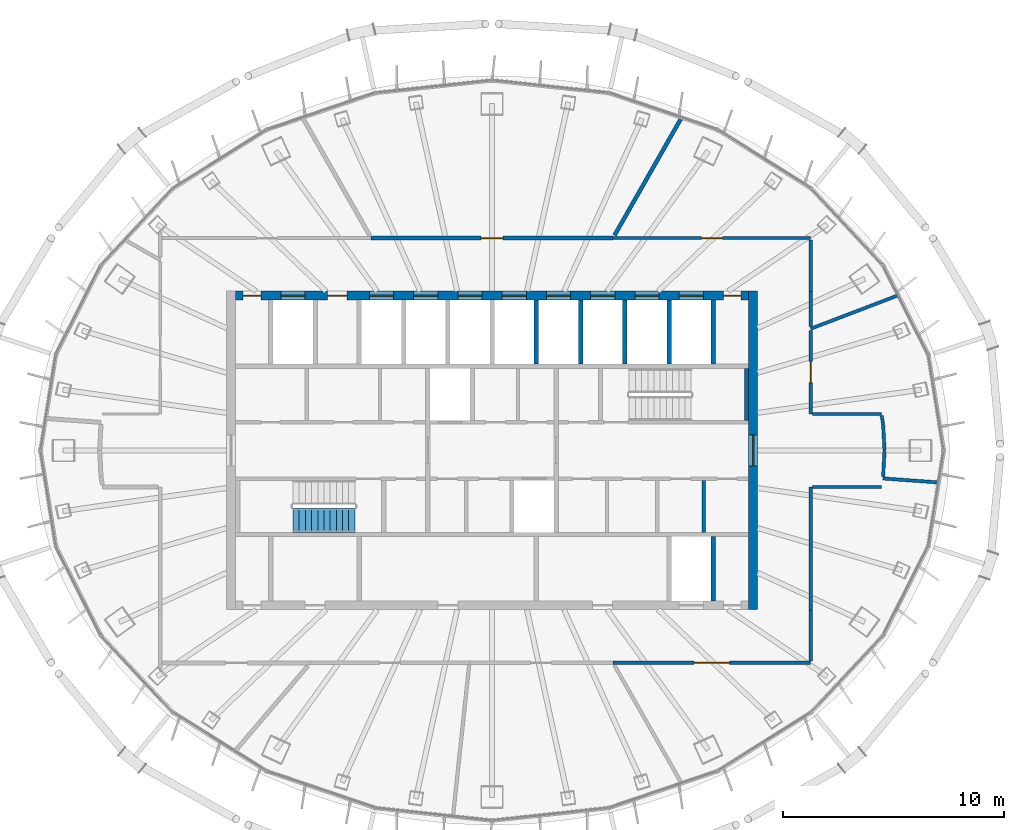
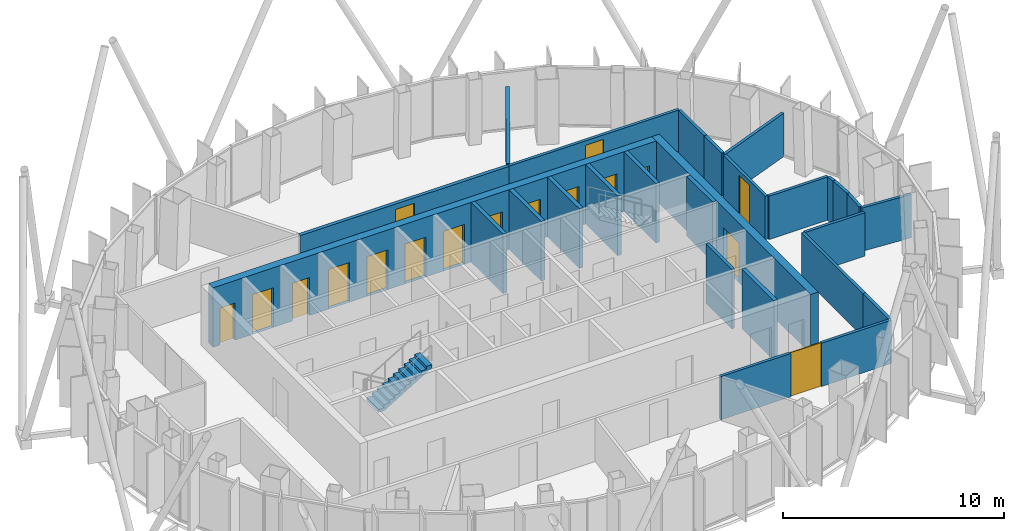
# One storey, part 11 of 18: 26 walls, 17 doors, 1 stair flight, 17 openings, 1 element without a shape of its own.
"""IFC4 building model written with IfcOpenShell, lengths in metres."""

from ifc_helpers import new_model, si_unit, direction, frame, frame_2d, origin, place, context, subcontext, project, spatial, polyline, rectangle, outline, extrude, material, layer, layer_set, type_object, element, fill, aggregate, save


model = new_model("IFC4")

# Units and contexts
model_context = context("Model", 3, precision=1e-05, world=origin(), true_north=direction((0.0, 1.0)))
body_context = subcontext(model_context, "Body", "Model", "MODEL_VIEW")
ifc_project = project(units=[si_unit("LENGTHUNIT", "METRE"), si_unit("AREAUNIT", "SQUARE_METRE"), si_unit("VOLUMEUNIT", "CUBIC_METRE"), si_unit("PLANEANGLEUNIT", "RADIAN"), si_unit("MASSUNIT", "GRAM", prefix="KILO")], contexts=[model_context])

# Site, building, storey
site_placement = place(None, origin())
site = spatial("IfcSite", under=ifc_project, at=site_placement, CompositionType="ELEMENT")
building_placement = place(site_placement, origin())
building = spatial("IfcBuilding", under=site, at=building_placement, Name="Siaravel Broadcast Tower", CompositionType="ELEMENT")
storey_placement = place(building_placement, frame((0.0, 0.0, 261.5)))
storey = spatial("IfcBuildingStorey", under=building, at=storey_placement, Name="L64", CompositionType="ELEMENT", Elevation=261.5)

# Wall
ifc_material_1 = material(Name="Concrete blockwork", Category="masonry")
ifc_layer_1 = layer(ifc_material_1, 0.14990234375)
ifc_layer_set_1 = layer_set([ifc_layer_1], Name="Concrete blockwork")
wall_type_1 = type_object("IfcWallType", Name="Core partition 150", PredefinedType="PARTITIONING", material=ifc_layer_set_1)
wall_1_placement = place(storey_placement, frame((9.569091796875, -3.699951171875, 0.0), z_axis=(0.0, 0.0, 1.0), x_axis=(0.0, 1.0, 0.0)))
element("IfcWall", 1, at=wall_1_placement, inside=storey, type_object=wall_type_1, Name="L64 core partition PSE2", PredefinedType="PARTITIONING", context=body_context, shape_type="SweptSolid", body=[
    extrude(rectangle(XDim=2.349853515625, YDim=0.14990234375, at=frame_2d((1.1748046875, 0.0))), origin(), (0.0, 0.0, 1.0), 3.300048828125),
])

# Wall, opening, door
ifc_material_2 = material(Name="Concrete C60/75", Category="concrete")
ifc_layer_2 = layer(ifc_material_2, 0.39990234375)
ifc_layer_set_2 = layer_set([ifc_layer_2], Name="Concrete C60/75")
wall_type_2 = type_object("IfcWallType", Name="Core wall 400", PredefinedType="SHEAR", material=ifc_layer_set_2)
wall_2_placement = place(storey_placement, frame((11.800048828125, -7.199951171875, 0.0), z_axis=(0.0, 0.0, 1.0), x_axis=(0.0, 1.0, 0.0)))
wall_2 = element("IfcWall", 2, at=wall_2_placement, inside=storey, type_object=wall_type_2, Name="L64 core wall OE", PredefinedType="SHEAR", context=body_context, shape_type="SweptSolid", body=[
    extrude(rectangle(XDim=14.39990234375, YDim=0.39990234375, at=frame_2d((7.199951171875, 0.0))), origin(), (0.0, 0.0, 1.0), 3.300048828125),
])
opening_1_placement = place(wall_2_placement, frame((6.5, 0.0, 0.0)))
opening_1 = element("IfcOpeningElement", 3, at=opening_1_placement, cuts=wall_2, Name="Opening L64-DX-E", PredefinedType="OPENING", context=body_context, shape_type="SweptSolid", body=[
    extrude(rectangle(XDim=1.39990234375, YDim=2.199951171875, at=frame_2d((0.699951171875, 1.10009765625))), frame((0.0, 0.2099609375, 0.0), z_axis=(0.0, -1.0, 0.0), x_axis=(1.0, 0.0, 0.0)), (0.0, 0.0, 1.0), 0.419921875),
])
ifc_material_3 = material(Name="Steel", Category="steel")
door_type_1 = type_object("IfcDoorType", Name="Core exit door 1400", OperationType="DOUBLE_DOOR_SINGLE_SWING", PredefinedType="DOOR", material=ifc_material_3)
door_1_placement = place(opening_1_placement, origin())
door_1 = element("IfcDoor", 4, at=door_1_placement, inside=storey, type_object=door_type_1, Name="L64 door DX-E", OperationType="DOUBLE_DOOR_SINGLE_SWING", OverallHeight=2.199951171875, OverallWidth=1.39990234375, PredefinedType="DOOR", context=body_context, shape_type="SweptSolid", body=[
    extrude(rectangle(XDim=1.39990234375, YDim=2.199951171875, at=frame_2d((0.699951171875, 1.10009765625))), frame((0.0, 0.02490234375, 0.0), z_axis=(0.0, -1.0, 0.0), x_axis=(1.0, 0.0, 0.0)), (0.0, 0.0, 1.0), 0.050048828125),
])
fill(opening_1, door_1)

# Wall, openings, doors
wall_3_placement = place(storey_placement, frame((-11.60009765625, 7.0, 0.0), z_axis=(0.0, 0.0, 1.0), x_axis=(1.0, 0.0, 0.0)))
wall_3 = element("IfcWall", 5, at=wall_3_placement, inside=storey, type_object=wall_type_2, Name="L64 core wall ON", PredefinedType="SHEAR", context=body_context, shape_type="SweptSolid", body=[
    extrude(rectangle(XDim=23.2001953125, YDim=0.39990234375, at=frame_2d((11.60009765625, 0.0))), origin(), (0.0, 0.0, 1.0), 3.300048828125),
])
opening_2_placement = place(wall_3_placement, frame((2.050048828125, 0.0, 0.0)))
opening_2 = element("IfcOpeningElement", 6, at=opening_2_placement, cuts=wall_3, Name="Opening LD-SV2-L64", PredefinedType="OPENING", context=body_context, shape_type="SweptSolid", body=[
    extrude(rectangle(XDim=1.10009765625, YDim=2.199951171875, at=frame_2d((0.550048828125, 1.10009765625))), frame((0.0, 0.2099609375, 0.0), z_axis=(0.0, -1.0, 0.0), x_axis=(1.0, 0.0, 0.0)), (0.0, 0.0, 1.0), 0.419921875),
])
opening_3_placement = place(wall_3_placement, frame((6.050048828125, 0.0, 0.0)))
opening_3 = element("IfcOpeningElement", 7, at=opening_3_placement, cuts=wall_3, Name="Opening LD-HP1-L64", PredefinedType="OPENING", context=body_context, shape_type="SweptSolid", body=[
    extrude(rectangle(XDim=1.10009765625, YDim=2.199951171875, at=frame_2d((0.550048828125, 1.10009765625))), frame((0.0, 0.2099609375, 0.0), z_axis=(0.0, -1.0, 0.0), x_axis=(1.0, 0.0, 0.0)), (0.0, 0.0, 1.0), 0.419921875),
])
opening_4_placement = place(wall_3_placement, frame((8.050048828125, 0.0, 0.0)))
opening_4 = element("IfcOpeningElement", 8, at=opening_4_placement, cuts=wall_3, Name="Opening LD-HP2-L64", PredefinedType="OPENING", context=body_context, shape_type="SweptSolid", body=[
    extrude(rectangle(XDim=1.10009765625, YDim=2.199951171875, at=frame_2d((0.550048828125, 1.10009765625))), frame((0.0, 0.2099609375, 0.0), z_axis=(0.0, -1.0, 0.0), x_axis=(1.0, 0.0, 0.0)), (0.0, 0.0, 1.0), 0.419921875),
])
opening_5_placement = place(wall_3_placement, frame((10.050048828125, 0.0, 0.0)))
opening_5 = element("IfcOpeningElement", 9, at=opening_5_placement, cuts=wall_3, Name="Opening LD-HP3-L64", PredefinedType="OPENING", context=body_context, shape_type="SweptSolid", body=[
    extrude(rectangle(XDim=1.10009765625, YDim=2.199951171875, at=frame_2d((0.550048828125, 1.10009765625))), frame((0.0, 0.2099609375, 0.0), z_axis=(0.0, -1.0, 0.0), x_axis=(1.0, 0.0, 0.0)), (0.0, 0.0, 1.0), 0.419921875),
])
opening_6_placement = place(wall_3_placement, frame((12.050048828125, 0.0, 0.0)))
opening_6 = element("IfcOpeningElement", 10, at=opening_6_placement, cuts=wall_3, Name="Opening LD-HP4-L64", PredefinedType="OPENING", context=body_context, shape_type="SweptSolid", body=[
    extrude(rectangle(XDim=1.10009765625, YDim=2.199951171875, at=frame_2d((0.550048828125, 1.10009765625))), frame((0.0, 0.2099609375, 0.0), z_axis=(0.0, -1.0, 0.0), x_axis=(1.0, 0.0, 0.0)), (0.0, 0.0, 1.0), 0.419921875),
])
opening_7_placement = place(wall_3_placement, frame((14.050048828125, 0.0, 0.0)))
opening_7 = element("IfcOpeningElement", 11, at=opening_7_placement, cuts=wall_3, Name="Opening LD-HP5-L64", PredefinedType="OPENING", context=body_context, shape_type="SweptSolid", body=[
    extrude(rectangle(XDim=1.10009765625, YDim=2.199951171875, at=frame_2d((0.550048828125, 1.10009765625))), frame((0.0, 0.2099609375, 0.0), z_axis=(0.0, -1.0, 0.0), x_axis=(1.0, 0.0, 0.0)), (0.0, 0.0, 1.0), 0.419921875),
])
opening_8_placement = place(wall_3_placement, frame((16.050048828125, 0.0, 0.0)))
opening_8 = element("IfcOpeningElement", 12, at=opening_8_placement, cuts=wall_3, Name="Opening LD-HP6-L64", PredefinedType="OPENING", context=body_context, shape_type="SweptSolid", body=[
    extrude(rectangle(XDim=1.10009765625, YDim=2.199951171875, at=frame_2d((0.550048828125, 1.10009765625))), frame((0.0, 0.2099609375, 0.0), z_axis=(0.0, -1.0, 0.0), x_axis=(1.0, 0.0, 0.0)), (0.0, 0.0, 1.0), 0.419921875),
])
opening_9_placement = place(wall_3_placement, frame((18.050048828125, 0.0, 0.0)))
opening_9 = element("IfcOpeningElement", 13, at=opening_9_placement, cuts=wall_3, Name="Opening LD-HP7-L64", PredefinedType="OPENING", context=body_context, shape_type="SweptSolid", body=[
    extrude(rectangle(XDim=1.10009765625, YDim=2.199951171875, at=frame_2d((0.550048828125, 1.10009765625))), frame((0.0, 0.2099609375, 0.0), z_axis=(0.0, -1.0, 0.0), x_axis=(1.0, 0.0, 0.0)), (0.0, 0.0, 1.0), 0.419921875),
])
opening_10_placement = place(wall_3_placement, frame((20.050048828125, 0.0, 0.0)))
opening_10 = element("IfcOpeningElement", 14, at=opening_10_placement, cuts=wall_3, Name="Opening LD-HP8-L64", PredefinedType="OPENING", context=body_context, shape_type="SweptSolid", body=[
    extrude(rectangle(XDim=1.10009765625, YDim=2.199951171875, at=frame_2d((0.550048828125, 1.10009765625))), frame((0.0, 0.2099609375, 0.0), z_axis=(0.0, -1.0, 0.0), x_axis=(1.0, 0.0, 0.0)), (0.0, 0.0, 1.0), 0.419921875),
])
opening_11_placement = place(wall_3_placement, frame((4.14990234375, 0.0, 0.0)))
opening_11 = element("IfcOpeningElement", 15, at=opening_11_placement, cuts=wall_3, Name="Opening L64-DFN1", PredefinedType="OPENING", context=body_context, shape_type="SweptSolid", body=[
    extrude(rectangle(XDim=0.89990234375, YDim=2.10009765625, at=frame_2d((0.449951171875, 1.050048828125))), frame((0.0, 0.2099609375, 0.0), z_axis=(0.0, -1.0, 0.0), x_axis=(1.0, 0.0, 0.0)), (0.0, 0.0, 1.0), 0.419921875),
])
opening_12_placement = place(wall_3_placement, frame((0.35009765625, 0.0, 0.0)))
opening_12 = element("IfcOpeningElement", 16, at=opening_12_placement, cuts=wall_3, Name="Opening L64-DRNW", PredefinedType="OPENING", context=body_context, shape_type="SweptSolid", body=[
    extrude(rectangle(XDim=0.800048828125, YDim=2.050048828125, at=frame_2d((0.39990234375, 1.02490234375))), frame((0.0, 0.2099609375, 0.0), z_axis=(0.0, -1.0, 0.0), x_axis=(1.0, 0.0, 0.0)), (0.0, 0.0, 1.0), 0.419921875),
])
opening_13_placement = place(wall_3_placement, frame((22.050048828125, 0.0, 0.0)))
opening_13 = element("IfcOpeningElement", 17, at=opening_13_placement, cuts=wall_3, Name="Opening L64-DRNE", PredefinedType="OPENING", context=body_context, shape_type="SweptSolid", body=[
    extrude(rectangle(XDim=0.800048828125, YDim=2.050048828125, at=frame_2d((0.39990234375, 1.02490234375))), frame((0.0, 0.2099609375, 0.0), z_axis=(0.0, -1.0, 0.0), x_axis=(1.0, 0.0, 0.0)), (0.0, 0.0, 1.0), 0.419921875),
])
ifc_material_4 = material(Name="Timber veneer", Category="wood")
door_type_2 = type_object("IfcDoorType", Name="Core room door 900", OperationType="SINGLE_SWING_LEFT", PredefinedType="DOOR", material=ifc_material_4)
door_2_placement = place(opening_11_placement, origin())
door_2 = element("IfcDoor", 18, at=door_2_placement, inside=storey, type_object=door_type_2, Name="L64 door DFN1", OperationType="SINGLE_SWING_LEFT", OverallHeight=2.10009765625, OverallWidth=0.89990234375, PredefinedType="DOOR", context=body_context, shape_type="SweptSolid", body=[
    extrude(rectangle(XDim=0.89990234375, YDim=2.10009765625, at=frame_2d((0.449951171875, 1.050048828125))), frame((0.0, 0.02490234375, 0.0), z_axis=(0.0, -1.0, 0.0), x_axis=(1.0, 0.0, 0.0)), (0.0, 0.0, 1.0), 0.050048828125),
])
fill(opening_11, door_2)
ifc_material_5 = material(Name="Stainless steel 316L", Category="steel")
door_type_3 = type_object("IfcDoorType", Name="Lift landing door 1100", OperationType="DOUBLE_DOOR_SLIDING", PredefinedType="DOOR", material=ifc_material_5)
door_3_placement = place(opening_3_placement, origin())
door_3 = element("IfcDoor", 19, at=door_3_placement, inside=storey, type_object=door_type_3, Name="Landing door HP1 L64", OperationType="DOUBLE_DOOR_SLIDING", OverallHeight=2.199951171875, OverallWidth=1.10009765625, PredefinedType="DOOR", context=body_context, shape_type="SweptSolid", body=[
    extrude(rectangle(XDim=1.10009765625, YDim=2.199951171875, at=frame_2d((0.550048828125, 1.10009765625))), frame((0.0, 0.02490234375, 0.0), z_axis=(0.0, -1.0, 0.0), x_axis=(1.0, 0.0, 0.0)), (0.0, 0.0, 1.0), 0.050048828125),
])
fill(opening_3, door_3)
door_4_placement = place(opening_4_placement, origin())
door_4 = element("IfcDoor", 20, at=door_4_placement, inside=storey, type_object=door_type_3, Name="Landing door HP2 L64", OperationType="DOUBLE_DOOR_SLIDING", OverallHeight=2.199951171875, OverallWidth=1.10009765625, PredefinedType="DOOR", context=body_context, shape_type="SweptSolid", body=[
    extrude(rectangle(XDim=1.10009765625, YDim=2.199951171875, at=frame_2d((0.550048828125, 1.10009765625))), frame((0.0, 0.02490234375, 0.0), z_axis=(0.0, -1.0, 0.0), x_axis=(1.0, 0.0, 0.0)), (0.0, 0.0, 1.0), 0.050048828125),
])
fill(opening_4, door_4)
door_5_placement = place(opening_5_placement, origin())
door_5 = element("IfcDoor", 21, at=door_5_placement, inside=storey, type_object=door_type_3, Name="Landing door HP3 L64", OperationType="DOUBLE_DOOR_SLIDING", OverallHeight=2.199951171875, OverallWidth=1.10009765625, PredefinedType="DOOR", context=body_context, shape_type="SweptSolid", body=[
    extrude(rectangle(XDim=1.10009765625, YDim=2.199951171875, at=frame_2d((0.550048828125, 1.10009765625))), frame((0.0, 0.02490234375, 0.0), z_axis=(0.0, -1.0, 0.0), x_axis=(1.0, 0.0, 0.0)), (0.0, 0.0, 1.0), 0.050048828125),
])
fill(opening_5, door_5)
door_6_placement = place(opening_6_placement, origin())
door_6 = element("IfcDoor", 22, at=door_6_placement, inside=storey, type_object=door_type_3, Name="Landing door HP4 L64", OperationType="DOUBLE_DOOR_SLIDING", OverallHeight=2.199951171875, OverallWidth=1.10009765625, PredefinedType="DOOR", context=body_context, shape_type="SweptSolid", body=[
    extrude(rectangle(XDim=1.10009765625, YDim=2.199951171875, at=frame_2d((0.550048828125, 1.10009765625))), frame((0.0, 0.02490234375, 0.0), z_axis=(0.0, -1.0, 0.0), x_axis=(1.0, 0.0, 0.0)), (0.0, 0.0, 1.0), 0.050048828125),
])
fill(opening_6, door_6)
door_7_placement = place(opening_7_placement, origin())
door_7 = element("IfcDoor", 23, at=door_7_placement, inside=storey, type_object=door_type_3, Name="Landing door HP5 L64", OperationType="DOUBLE_DOOR_SLIDING", OverallHeight=2.199951171875, OverallWidth=1.10009765625, PredefinedType="DOOR", context=body_context, shape_type="SweptSolid", body=[
    extrude(rectangle(XDim=1.10009765625, YDim=2.199951171875, at=frame_2d((0.550048828125, 1.10009765625))), frame((0.0, 0.02490234375, 0.0), z_axis=(0.0, -1.0, 0.0), x_axis=(1.0, 0.0, 0.0)), (0.0, 0.0, 1.0), 0.050048828125),
])
fill(opening_7, door_7)
door_8_placement = place(opening_8_placement, origin())
door_8 = element("IfcDoor", 24, at=door_8_placement, inside=storey, type_object=door_type_3, Name="Landing door HP6 L64", OperationType="DOUBLE_DOOR_SLIDING", OverallHeight=2.199951171875, OverallWidth=1.10009765625, PredefinedType="DOOR", context=body_context, shape_type="SweptSolid", body=[
    extrude(rectangle(XDim=1.10009765625, YDim=2.199951171875, at=frame_2d((0.550048828125, 1.10009765625))), frame((0.0, 0.02490234375, 0.0), z_axis=(0.0, -1.0, 0.0), x_axis=(1.0, 0.0, 0.0)), (0.0, 0.0, 1.0), 0.050048828125),
])
fill(opening_8, door_8)
door_9_placement = place(opening_9_placement, origin())
door_9 = element("IfcDoor", 25, at=door_9_placement, inside=storey, type_object=door_type_3, Name="Landing door HP7 L64", OperationType="DOUBLE_DOOR_SLIDING", OverallHeight=2.199951171875, OverallWidth=1.10009765625, PredefinedType="DOOR", context=body_context, shape_type="SweptSolid", body=[
    extrude(rectangle(XDim=1.10009765625, YDim=2.199951171875, at=frame_2d((0.550048828125, 1.10009765625))), frame((0.0, 0.02490234375, 0.0), z_axis=(0.0, -1.0, 0.0), x_axis=(1.0, 0.0, 0.0)), (0.0, 0.0, 1.0), 0.050048828125),
])
fill(opening_9, door_9)
door_10_placement = place(opening_10_placement, origin())
door_10 = element("IfcDoor", 26, at=door_10_placement, inside=storey, type_object=door_type_3, Name="Landing door HP8 L64", OperationType="DOUBLE_DOOR_SLIDING", OverallHeight=2.199951171875, OverallWidth=1.10009765625, PredefinedType="DOOR", context=body_context, shape_type="SweptSolid", body=[
    extrude(rectangle(XDim=1.10009765625, YDim=2.199951171875, at=frame_2d((0.550048828125, 1.10009765625))), frame((0.0, 0.02490234375, 0.0), z_axis=(0.0, -1.0, 0.0), x_axis=(1.0, 0.0, 0.0)), (0.0, 0.0, 1.0), 0.050048828125),
])
fill(opening_10, door_10)
door_type_4 = type_object("IfcDoorType", Name="Riser door 800", OperationType="SINGLE_SWING_LEFT", PredefinedType="DOOR", material=ifc_material_3)
door_11_placement = place(opening_12_placement, origin())
door_11 = element("IfcDoor", 27, at=door_11_placement, inside=storey, type_object=door_type_4, Name="L64 door DRNW", OperationType="SINGLE_SWING_LEFT", OverallHeight=2.050048828125, OverallWidth=0.800048828125, PredefinedType="DOOR", context=body_context, shape_type="SweptSolid", body=[
    extrude(rectangle(XDim=0.800048828125, YDim=2.050048828125, at=frame_2d((0.39990234375, 1.02490234375))), frame((0.0, 0.02490234375, 0.0), z_axis=(0.0, -1.0, 0.0), x_axis=(1.0, 0.0, 0.0)), (0.0, 0.0, 1.0), 0.050048828125),
])
fill(opening_12, door_11)
door_12_placement = place(opening_13_placement, origin())
door_12 = element("IfcDoor", 28, at=door_12_placement, inside=storey, type_object=door_type_4, Name="L64 door DRNE", OperationType="SINGLE_SWING_LEFT", OverallHeight=2.050048828125, OverallWidth=0.800048828125, PredefinedType="DOOR", context=body_context, shape_type="SweptSolid", body=[
    extrude(rectangle(XDim=0.800048828125, YDim=2.050048828125, at=frame_2d((0.39990234375, 1.02490234375))), frame((0.0, 0.02490234375, 0.0), z_axis=(0.0, -1.0, 0.0), x_axis=(1.0, 0.0, 0.0)), (0.0, 0.0, 1.0), 0.050048828125),
])
fill(opening_13, door_12)
door_type_5 = type_object("IfcDoorType", Name="Service lift landing door 1100", OperationType="DOUBLE_DOOR_SLIDING", PredefinedType="DOOR", material=ifc_material_5)
door_13_placement = place(opening_2_placement, origin())
door_13 = element("IfcDoor", 29, at=door_13_placement, inside=storey, type_object=door_type_5, Name="Landing door SV2 L64", OperationType="DOUBLE_DOOR_SLIDING", OverallHeight=2.199951171875, OverallWidth=1.10009765625, PredefinedType="DOOR", context=body_context, shape_type="SweptSolid", body=[
    extrude(rectangle(XDim=1.10009765625, YDim=2.199951171875, at=frame_2d((0.550048828125, 1.10009765625))), frame((0.0, 0.02490234375, 0.0), z_axis=(0.0, -1.0, 0.0), x_axis=(1.0, 0.0, 0.0)), (0.0, 0.0, 1.0), 0.050048828125),
])
fill(opening_2, door_13)

# Wall, opening, door
ifc_material_6 = material(Name="Gypsum board partition", Category="gypsum")
ifc_layer_3 = layer(ifc_material_6, 0.14990234375)
ifc_layer_set_3 = layer_set([ifc_layer_3], Name="Gypsum board partition")
wall_type_3 = type_object("IfcWallType", Name="Corridor wall 150", PredefinedType="PARTITIONING", material=ifc_layer_set_3)
wall_4_placement = place(storey_placement, frame((14.39990234375, 9.60009765625, 0.0), z_axis=(0.0, 0.0, 1.0), x_axis=(-1.0, 0.0, 0.0)))
wall_4 = element("IfcWall", 30, at=wall_4_placement, inside=storey, type_object=wall_type_3, Name="L64 partition 3", PredefinedType="PARTITIONING", context=body_context, shape_type="SweptSolid", body=[
    extrude(rectangle(XDim=8.933837890625, YDim=0.14990234375, at=frame_2d((4.466796875, 0.0))), origin(), (0.0, 0.0, 1.0), 2.39990234375),
])
opening_14_placement = place(wall_4_placement, frame((3.991943359375, 0.0, 0.0)))
opening_14 = element("IfcOpeningElement", 31, at=opening_14_placement, cuts=wall_4, Name="Opening L64-002", PredefinedType="OPENING", context=body_context, shape_type="SweptSolid", body=[
    extrude(rectangle(XDim=0.949951171875, YDim=2.14990234375, at=frame_2d((0.47509765625, 1.074951171875))), frame((0.0, 0.0849609375, 0.0), z_axis=(0.0, -1.0, 0.0), x_axis=(1.0, 0.0, 0.0)), (0.0, 0.0, 1.0), 0.169921875),
])
door_type_6 = type_object("IfcDoorType", Name="Office door 950", OperationType="SINGLE_SWING_LEFT", PredefinedType="DOOR", material=ifc_material_4)
door_14_placement = place(opening_14_placement, origin())
door_14 = element("IfcDoor", 32, at=door_14_placement, inside=storey, type_object=door_type_6, Name="L64 door to Reception", OperationType="SINGLE_SWING_RIGHT", OverallHeight=2.14990234375, OverallWidth=0.949951171875, PredefinedType="DOOR", context=body_context, shape_type="SweptSolid", body=[
    extrude(rectangle(XDim=0.949951171875, YDim=2.14990234375, at=frame_2d((0.47509765625, 1.074951171875))), frame((0.0, 0.02490234375, 0.0), z_axis=(0.0, -1.0, 0.0), x_axis=(1.0, 0.0, 0.0)), (0.0, 0.0, 1.0), 0.050048828125),
])
fill(opening_14, door_14)

wall_5_placement = place(storey_placement, frame((5.465087890625, -9.60009765625, 0.0), z_axis=(0.0, 0.0, 1.0), x_axis=(1.0, 0.0, 0.0)))
wall_5 = element("IfcWall", 33, at=wall_5_placement, inside=storey, type_object=wall_type_3, Name="L64 partition 4", PredefinedType="PARTITIONING", context=body_context, shape_type="SweptSolid", body=[
    extrude(rectangle(XDim=8.934814453125, YDim=0.14990234375, at=frame_2d((4.46728515625, 0.0))), origin(), (0.0, 0.0, 1.0), 2.39990234375),
])
opening_15_placement = place(wall_5_placement, frame((3.66748046875, 0.0, 0.0)))
opening_15 = element("IfcOpeningElement", 34, at=opening_15_placement, cuts=wall_5, Name="Opening L64-009", PredefinedType="OPENING", context=body_context, shape_type="SweptSolid", body=[
    extrude(rectangle(XDim=1.60009765625, YDim=2.39990234375, at=frame_2d((0.800048828125, 1.199951171875))), frame((0.0, 0.0849609375, 0.0), z_axis=(0.0, -1.0, 0.0), x_axis=(1.0, 0.0, 0.0)), (0.0, 0.0, 1.0), 0.169921875),
])
door_type_7 = type_object("IfcDoorType", Name="Restaurant double door 1600", OperationType="DOUBLE_DOOR_SINGLE_SWING", PredefinedType="DOOR", material=ifc_material_4)
door_15_placement = place(opening_15_placement, origin())
door_15 = element("IfcDoor", 35, at=door_15_placement, inside=storey, type_object=door_type_7, Name="L64 door to Restaurant", OperationType="DOUBLE_DOOR_SINGLE_SWING", OverallHeight=2.39990234375, OverallWidth=1.60009765625, PredefinedType="DOOR", context=body_context, shape_type="SweptSolid", body=[
    extrude(rectangle(XDim=1.60009765625, YDim=2.39990234375, at=frame_2d((0.800048828125, 1.199951171875))), frame((0.0, 0.02490234375, 0.0), z_axis=(0.0, -1.0, 0.0), x_axis=(1.0, 0.0, 0.0)), (0.0, 0.0, 1.0), 0.050048828125),
])
fill(opening_15, door_15)

# Wall
wall_6_placement = place(storey_placement, frame((14.39990234375, -7.2119140625, 0.0), z_axis=(0.0, 0.0, 1.0), x_axis=(0.0, 1.0, 0.0)))
element("IfcWall", 36, at=wall_6_placement, inside=storey, type_object=wall_type_3, Name="L64 partition 14", PredefinedType="PARTITIONING", context=body_context, shape_type="SweptSolid", body=[
    extrude(rectangle(XDim=5.56201171875, YDim=0.14990234375, at=frame_2d((2.781005859375, 0.0))), origin(), (0.0, 0.0, 1.0), 2.39990234375),
])

# Wall, opening, door
wall_7_placement = place(storey_placement, frame((14.39990234375, 1.64990234375, 0.0), z_axis=(0.0, 0.0, 1.0), x_axis=(0.0, 1.0, 0.0)))
wall_7 = element("IfcWall", 37, at=wall_7_placement, inside=storey, type_object=wall_type_3, Name="L64 partition 16", PredefinedType="PARTITIONING", context=body_context, shape_type="SweptSolid", body=[
    extrude(rectangle(XDim=3.7783203125, YDim=0.14990234375, at=frame_2d((1.88916015625, 0.0))), origin(), (0.0, 0.0, 1.0), 2.39990234375),
])
opening_16_placement = place(wall_7_placement, frame((1.4140625, 0.0, 0.0)))
opening_16 = element("IfcOpeningElement", 38, at=opening_16_placement, cuts=wall_7, Name="Opening L64-001", PredefinedType="OPENING", context=body_context, shape_type="SweptSolid", body=[
    extrude(rectangle(XDim=0.949951171875, YDim=2.14990234375, at=frame_2d((0.47509765625, 1.074951171875))), frame((0.0, 0.0849609375, 0.0), z_axis=(0.0, -1.0, 0.0), x_axis=(1.0, 0.0, 0.0)), (0.0, 0.0, 1.0), 0.169921875),
])
door_16_placement = place(opening_16_placement, origin())
door_16 = element("IfcDoor", 39, at=door_16_placement, inside=storey, type_object=door_type_6, Name="L64 door to Reception", OperationType="SINGLE_SWING_LEFT", OverallHeight=2.14990234375, OverallWidth=0.949951171875, PredefinedType="DOOR", context=body_context, shape_type="SweptSolid", body=[
    extrude(rectangle(XDim=0.949951171875, YDim=2.14990234375, at=frame_2d((0.47509765625, 1.074951171875))), frame((0.0, 0.02490234375, 0.0), z_axis=(0.0, -1.0, 0.0), x_axis=(1.0, 0.0, 0.0)), (0.0, 0.0, 1.0), 0.050048828125),
])
fill(opening_16, door_16)

# Walls
for number, where, z_axis, x_axis, name in (
    (40, (14.47705078125, -1.64990234375, 0.0), (0.0, 0.0, 1.0), (1.0, 0.0, 0.0), "L64 partition 18"),
    (41, (17.60107421875, 1.64990234375, 0.0), (0.0, 0.0, 1.0), (-1.0, 0.0, 0.0), "L64 partition 19"),
):
    element("IfcWall", number, at=place(storey_placement, frame(where, z_axis=z_axis, x_axis=x_axis)), inside=storey, type_object=wall_type_3, Name=name, PredefinedType="PARTITIONING", context=body_context, shape_type="SweptSolid", body=[
        extrude(rectangle(XDim=3.1240234375, YDim=0.14990234375, at=frame_2d((1.56201171875, 0.0))), origin(), (0.0, 0.0, 1.0), 2.39990234375),
    ])
wall_8_placement = place(storey_placement, frame((14.39990234375, -9.52294921875, 0.0), z_axis=(0.0, 0.0, 1.0), x_axis=(0.0, 1.0, 0.0)))
element("IfcWall", 42, at=wall_8_placement, inside=storey, type_object=wall_type_3, Name="L64 partition 25", PredefinedType="PARTITIONING", context=body_context, shape_type="SweptSolid", body=[
    extrude(rectangle(XDim=2.31005859375, YDim=0.14990234375, at=frame_2d((1.155029296875, 0.0))), origin(), (0.0, 0.0, 1.0), 2.39990234375),
])
wall_9_placement = place(storey_placement, frame((14.39990234375, 7.190185546875, 0.0), z_axis=(0.0, 0.0, 1.0), x_axis=(0.0, 1.0, 0.0)))
element("IfcWall", 43, at=wall_9_placement, inside=storey, type_object=wall_type_3, Name="L64 partition 26", PredefinedType="PARTITIONING", context=body_context, shape_type="SweptSolid", body=[
    extrude(rectangle(XDim=2.332763671875, YDim=0.14990234375, at=frame_2d((1.16650390625, 0.0))), origin(), (0.0, 0.0, 1.0), 2.39990234375),
])
wall_10_placement = place(storey_placement, frame((14.39990234375, 5.611083984375, 0.0), z_axis=(0.0, 0.0, 1.0), x_axis=(0.0, 1.0, 0.0)))
element("IfcWall", 44, at=wall_10_placement, inside=storey, type_object=wall_type_3, Name="L64 partition 29", PredefinedType="PARTITIONING", context=body_context, shape_type="SweptSolid", body=[
    extrude(rectangle(XDim=1.578125, YDim=0.14990234375, at=frame_2d((0.7890625, 0.0))), origin(), (0.0, 0.0, 1.0), 2.39990234375),
])
wall_11_placement = place(storey_placement, frame((17.676513671875, -1.189453125, 0.0), z_axis=(0.0, 0.0, 1.0), x_axis=(0.053290344, 0.99857906, 0.0)))
element("IfcWall", 45, at=wall_11_placement, inside=storey, type_object=wall_type_3, Name="L64 partition 32", PredefinedType="PARTITIONING", context=body_context, shape_type="SweptSolid", body=[
    extrude(rectangle(XDim=1.191162109375, YDim=0.14990234375, at=frame_2d((0.595703125, 0.0))), origin(), (0.0, 0.0, 1.0), 2.39990234375),
])
wall_12_placement = place(storey_placement, frame((17.739501953125, 0.010009765625, 0.0), z_axis=(0.0, 0.0, 1.0), x_axis=(-0.053349436, 0.998575905, 0.0)))
element("IfcWall", 46, at=wall_12_placement, inside=storey, type_object=wall_type_3, Name="L64 partition 35", PredefinedType="PARTITIONING", context=body_context, shape_type="SweptSolid", body=[
    extrude(rectangle(XDim=1.1669921875, YDim=0.14990234375, at=frame_2d((0.58349609375, 0.0))), origin(), (0.0, 0.0, 1.0), 2.39990234375),
])
wall_13_placement = place(storey_placement, frame((17.67578125, 1.185302734375, 0.0), z_axis=(0.0, 0.0, 1.0), x_axis=(-0.158979599, 0.987281868, 0.0)))
element("IfcWall", 47, at=wall_13_placement, inside=storey, type_object=wall_type_3, Name="L64 partition 37", PredefinedType="PARTITIONING", context=body_context, shape_type="SweptSolid", body=[
    extrude(rectangle(XDim=0.394775390625, YDim=0.14990234375, at=frame_2d((0.197265625, 0.0))), origin(), (0.0, 0.0, 1.0), 2.39990234375),
])
ifc_layer_4 = layer(ifc_material_6, 0.14990234375)
ifc_layer_set_4 = layer_set([ifc_layer_4], Name="Gypsum board partition")
wall_type_4 = type_object("IfcWallType", Name="Room partition 150", PredefinedType="PARTITIONING", material=ifc_layer_set_4)
wall_14_placement = place(storey_placement, frame((18.34130859375, 7.005615234375, 0.0), z_axis=(0.0, 0.0, 1.0), x_axis=(-0.934181218, -0.356798897, 0.0)))
element("IfcWall", 48, at=wall_14_placement, inside=storey, type_object=wall_type_4, Name="L64 partition 15", PredefinedType="PARTITIONING", context=body_context, shape_type="SweptSolid", body=[
    extrude(rectangle(XDim=4.218994140625, YDim=0.14990234375, at=frame_2d((2.109375, 0.0))), origin(), (0.0, 0.0, 1.0), 2.39990234375),
])
wall_15_placement = place(storey_placement, frame((17.662841796875, -1.265869140625, 0.0), z_axis=(0.0, 0.0, 1.0), x_axis=(0.997440396, -0.071502847, 0.0)))
element("IfcWall", 49, at=wall_15_placement, inside=storey, type_object=wall_type_4, Name="L64 partition 23", PredefinedType="PARTITIONING", context=body_context, shape_type="SweptSolid", body=[
    extrude(rectangle(XDim=2.509521484375, YDim=0.14990234375, at=frame_2d((1.2548828125, 0.0))), origin(), (0.0, 0.0, 1.0), 2.39990234375),
])

# Wall, opening, door
ifc_layer_5 = layer(ifc_material_1, 0.179931640625)
ifc_layer_set_5 = layer_set([ifc_layer_5], Name="Concrete blockwork")
wall_type_5 = type_object("IfcWallType", Name="Service room fire partition 180", PredefinedType="PARTITIONING", material=ifc_layer_set_5)
wall_16_placement = place(storey_placement, frame((5.465087890625, 9.60009765625, 0.0), z_axis=(0.0, 0.0, 1.0), x_axis=(-1.0, 0.0, 0.0)))
wall_16 = element("IfcWall", 50, at=wall_16_placement, inside=storey, type_object=wall_type_5, Name="L64 partition 1", PredefinedType="PARTITIONING", context=body_context, shape_type="SweptSolid", body=[
    extrude(rectangle(XDim=10.93017578125, YDim=0.179931640625, at=frame_2d((5.465087890625, 0.0))), origin(), (0.0, 0.0, 1.0), 2.39990234375),
])
opening_17_placement = place(wall_16_placement, frame((4.965087890625, 0.0, 0.0)))
opening_17 = element("IfcOpeningElement", 51, at=opening_17_placement, cuts=wall_16, Name="Opening L64-003", PredefinedType="OPENING", context=body_context, shape_type="SweptSolid", body=[
    extrude(rectangle(XDim=1.0, YDim=2.10009765625, at=frame_2d((0.5, 1.050048828125))), frame((0.0, 0.099853515625, 0.0), z_axis=(0.0, -1.0, 0.0), x_axis=(1.0, 0.0, 0.0)), (0.0, 0.0, 1.0), 0.199951171875),
])
door_type_8 = type_object("IfcDoorType", Name="Service room door 1000", OperationType="SINGLE_SWING_LEFT", PredefinedType="DOOR", material=ifc_material_3)
door_17_placement = place(opening_17_placement, origin())
door_17 = element("IfcDoor", 52, at=door_17_placement, inside=storey, type_object=door_type_8, Name="L64 door to Library", OperationType="SINGLE_SWING_LEFT", OverallHeight=2.10009765625, OverallWidth=1.0, PredefinedType="DOOR", context=body_context, shape_type="SweptSolid", body=[
    extrude(rectangle(XDim=1.0, YDim=2.10009765625, at=frame_2d((0.5, 1.050048828125))), frame((0.0, 0.02490234375, 0.0), z_axis=(0.0, -1.0, 0.0), x_axis=(1.0, 0.0, 0.0)), (0.0, 0.0, 1.0), 0.050048828125),
])
fill(opening_17, door_17)

# Walls
wall_17_placement = place(storey_placement, frame((8.545654296875, 15.010986328125, 0.0), z_axis=(0.0, 0.0, 1.0), x_axis=(-0.494743126, -0.869039262, 0.0)))
element("IfcWall", 53, at=wall_17_placement, inside=storey, type_object=wall_type_5, Name="L64 partition 11", PredefinedType="PARTITIONING", context=body_context, shape_type="SweptSolid", body=[
    extrude(rectangle(XDim=6.0869140625, YDim=0.179931640625, at=frame_2d((3.04345703125, 0.0))), origin(), (0.0, 0.0, 1.0), 2.39990234375),
])
ifc_layer_6 = layer(ifc_material_2, 0.199951171875)
ifc_layer_set_6 = layer_set([ifc_layer_6], Name="Concrete C60/75")
wall_type_6 = type_object("IfcWallType", Name="Shaft wall 200", PredefinedType="SHEAR", material=ifc_layer_set_6)
for number, where, z_axis, x_axis, name in (
    (54, (10.0, -6.800048828125, 0.0), (0.0, 0.0, 1.0), (0.0, 1.0, 0.0), "L64 core wall SWS10"),
    (55, (2.0, 3.89990234375, 0.0), (0.0, 0.0, 1.0), (0.0, 1.0, 0.0), "L64 core wall SWN6"),
    (56, (4.0, 3.89990234375, 0.0), (0.0, 0.0, 1.0), (0.0, 1.0, 0.0), "L64 core wall SWN7"),
    (57, (6.0, 3.89990234375, 0.0), (0.0, 0.0, 1.0), (0.0, 1.0, 0.0), "L64 core wall SWN8"),
    (58, (8.0, 3.89990234375, 0.0), (0.0, 0.0, 1.0), (0.0, 1.0, 0.0), "L64 core wall SWN9"),
    (59, (10.0, 3.89990234375, 0.0), (0.0, 0.0, 1.0), (0.0, 1.0, 0.0), "L64 core wall SWN10"),
):
    element("IfcWall", number, at=place(storey_placement, frame(where, z_axis=z_axis, x_axis=x_axis)), inside=storey, type_object=wall_type_6, Name=name, PredefinedType="SHEAR", context=body_context, shape_type="SweptSolid", body=[
        extrude(rectangle(XDim=2.900146484375, YDim=0.199951171875, at=frame_2d((1.4501953125, 0.0))), origin(), (0.0, 0.0, 1.0), 3.300048828125),
    ])
wall_18_placement = place(storey_placement, frame((11.5, 1.35009765625, 0.0), z_axis=(0.0, 0.0, 1.0), x_axis=(0.0, 1.0, 0.0)))
element("IfcWall", 60, at=wall_18_placement, inside=storey, type_object=wall_type_6, Name="L64 core wall ST2E", PredefinedType="SHEAR", context=body_context, shape_type="SweptSolid", body=[
    extrude(rectangle(XDim=2.349853515625, YDim=0.199951171875, at=frame_2d((1.1748046875, 0.0))), origin(), (0.0, 0.0, 1.0), 3.300048828125),
])

# Stair, stair flight
ifc_material_7 = material(Name="Concrete C40/50", Category="concrete")
stair_type = type_object("IfcStairType", Name="Core exit stair", PredefinedType="HALF_TURN_STAIR", material=ifc_material_7)
stair_placement = place(storey_placement, origin())
stair = element("IfcStair", 61, at=stair_placement, inside=storey, type_object=stair_type, Name="L64 Exit stair ST-1", PredefinedType="HALF_TURN_STAIR")
stair_flight_type = type_object("IfcStairFlightType", Name="Stair flight 1100", PredefinedType="STRAIGHT", material=ifc_material_7)
stair_flight_placement = place(storey_placement, frame((-9.0, -3.14990234375, 1.85009765625), z_axis=(0.0, 0.0, 1.0), x_axis=(1.0, 0.0, 0.0)))
stair_flight = element("IfcStairFlight", 62, at=stair_flight_placement, type_object=stair_flight_type, Name="ST-1 flight 2", NumberOfRisers=11, NumberOfTreads=10, PredefinedType="STRAIGHT", RiserHeight=0.1681818, TreadLength=0.28, context=body_context, shape_type="SweptSolid", body=[
    extrude(outline(polyline([(0.0, 0.0), (0.0, 0.168212890625), (0.280029296875, 0.168212890625), (0.280029296875, 0.33642578125), (0.56005859375, 0.33642578125), (0.56005859375, 0.504638671875), (0.840087890625, 0.504638671875), (0.840087890625, 0.672607421875), (1.1201171875, 0.672607421875), (1.1201171875, 0.8408203125), (1.39990234375, 0.8408203125), (1.39990234375, 1.009033203125), (1.679931640625, 1.009033203125), (1.679931640625, 1.17724609375), (1.9599609375, 1.17724609375), (1.9599609375, 1.345458984375), (2.239990234375, 1.345458984375), (2.239990234375, 1.513671875), (2.52001953125, 1.513671875), (2.52001953125, 1.681884765625), (2.800048828125, 1.681884765625), (2.800048828125, 1.85009765625), (2.800048828125, 1.5068359375), (0.291015625, 0.0), (0.0, 0.0)])), frame((0.0, 0.550048828125, 0.0), z_axis=(0.0, -1.0, 0.0), x_axis=(1.0, 0.0, 0.0)), (0.0, 0.0, 1.0), 1.10009765625),
])
aggregate(stair, [stair_flight])

save(model, "model.ifc")
